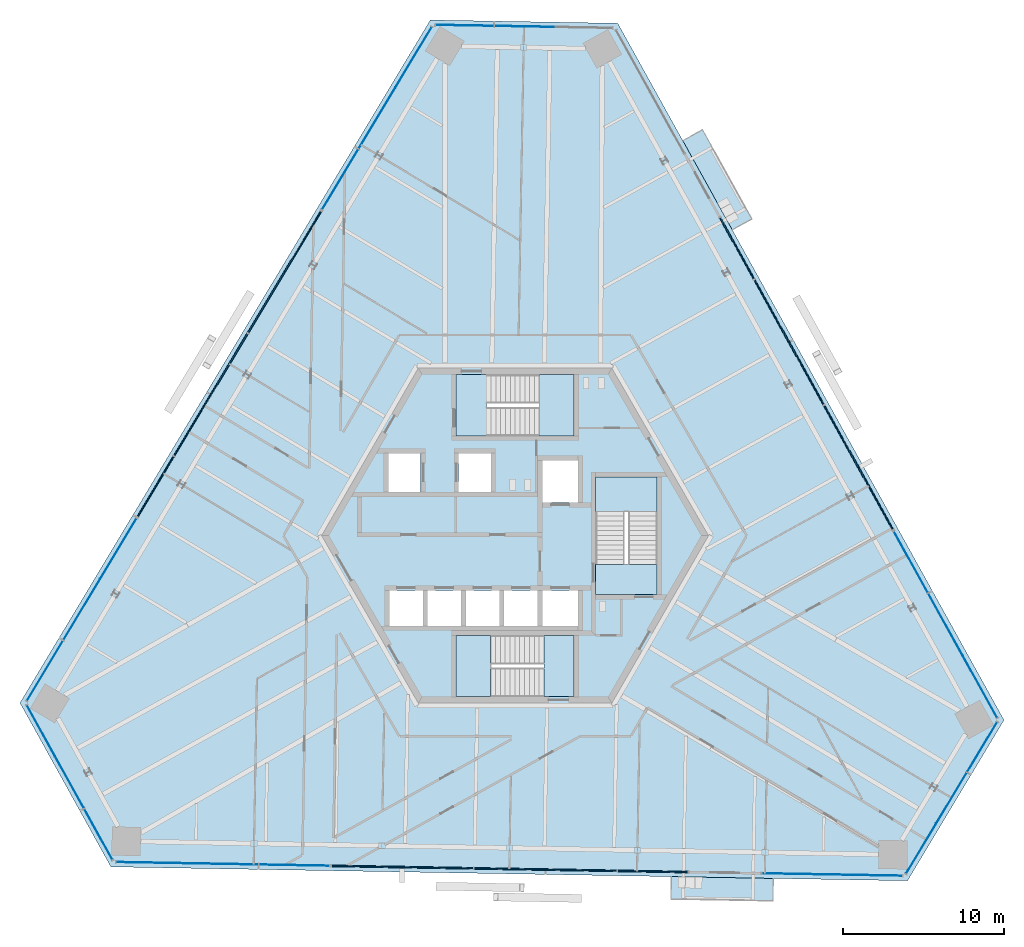
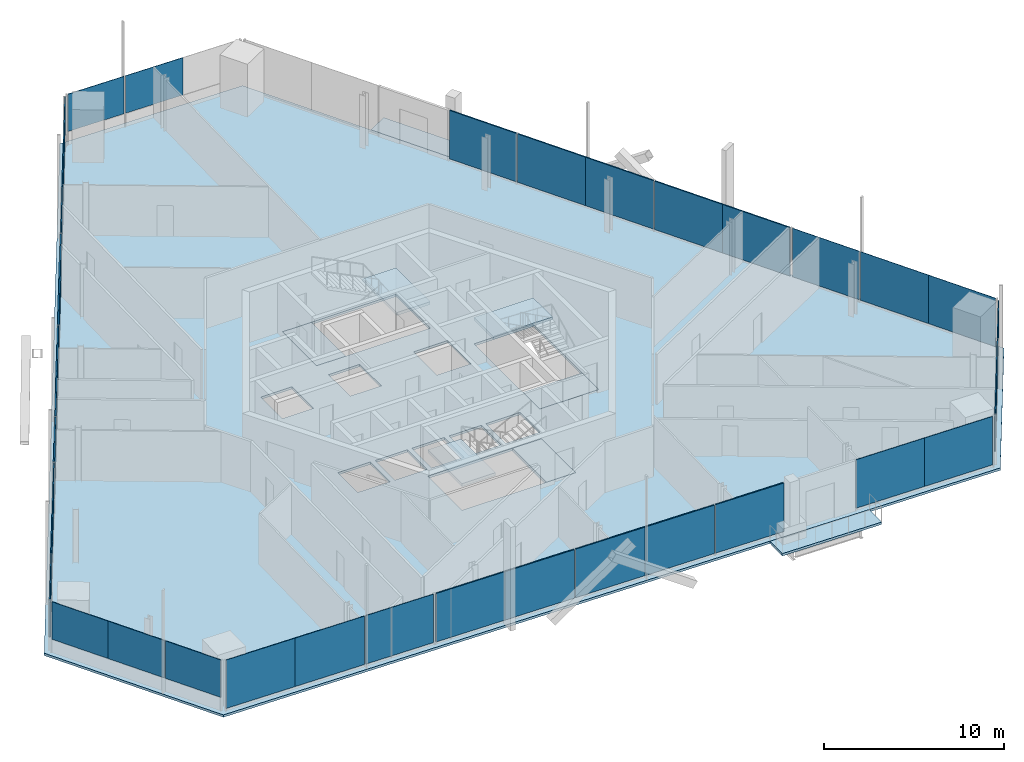
# One storey, part 10 of 20: 37 plates, 9 slabs, 14 elements without a shape of their own.
"""IFC4 building model written with IfcOpenShell, lengths in metres."""

from ifc_helpers import new_model, si_unit, direction, frame, origin, origin_2d, place, context, subcontext, project, spatial, polyline, rectangle, outline, extrude, source, transform, mapped, material, layer, layer_set, type_object, element, aggregate, save


model = new_model("IFC4")

# Units and contexts
model_context = context("Model", 3, precision=1e-05, world=origin(), true_north=direction((0.0, 1.0)))
body_context = subcontext(model_context, "Body", "Model", "MODEL_VIEW")
ifc_project = project(units=[si_unit("LENGTHUNIT", "METRE"), si_unit("AREAUNIT", "SQUARE_METRE"), si_unit("VOLUMEUNIT", "CUBIC_METRE"), si_unit("PLANEANGLEUNIT", "RADIAN"), si_unit("MASSUNIT", "GRAM", prefix="KILO")], contexts=[model_context])

# Site, building, storey
site_placement = place(None, origin())
site = spatial("IfcSite", under=ifc_project, at=site_placement, CompositionType="ELEMENT")
building_placement = place(site_placement, origin())
building = spatial("IfcBuilding", under=site, at=building_placement, Name="Triune Harvest Tower", CompositionType="ELEMENT")
storey_placement = place(building_placement, frame((0.0, 0.0, 194.300048828125)))
storey = spatial("IfcBuildingStorey", under=building, at=storey_placement, Name="L50", CompositionType="ELEMENT", Elevation=194.300048828125)

# Slabs
ifc_material_1 = material(Name="Concrete 40 MPa", Category="concrete")
ifc_layer_1 = layer(ifc_material_1, 0.159912109375)
ifc_layer_set_1 = layer_set([ifc_layer_1], Name="Concrete 40 MPa")
slab_type_1 = type_object("IfcSlabType", Name="BA-1 balcony slab 160", PredefinedType="FLOOR", material=ifc_layer_set_1)
slab_1_placement = place(storey_placement, frame((0.0, 0.0, -0.16015625)))
element("IfcSlab", 1, at=slab_1_placement, inside=storey, type_object=slab_type_1, Name="Balcony slab B5-F1 L50.9", PredefinedType="FLOOR", context=body_context, shape_type="SweptSolid", body=[
    extrude(outline(polyline([(13.469970703125, 18.96826171875), (10.40478515625, 24.497802734375), (11.623779296875, 25.173583984375), (14.68896484375, 19.64404296875), (13.469970703125, 18.96826171875)])), origin(), (0.0, 0.0, 1.0), 0.16015625),
])
slab_2_placement = place(storey_placement, frame((0.0, 0.0, -0.16015625)))
element("IfcSlab", 2, at=slab_2_placement, inside=storey, type_object=slab_type_1, Name="Balcony slab B5-F5 L50.9", PredefinedType="FLOOR", context=body_context, shape_type="SweptSolid", body=[
    extrude(outline(polyline([(9.692138671875, -21.1494140625), (16.01318359375, -21.259765625), (15.989013671875, -22.6533203125), (9.66796875, -22.543212890625), (9.692138671875, -21.1494140625)])), origin(), (0.0, 0.0, 1.0), 0.16015625),
])
ifc_material_2 = material(Name="Concrete 40 MPa", Category="concrete")
ifc_layer_2 = layer(ifc_material_2, 0.159912109375)
ifc_layer_set_2 = layer_set([ifc_layer_2], Name="Concrete 40 MPa")
slab_type_2 = type_object("IfcSlabType", Name="SL-1 Composite floor slab 160", PredefinedType="FLOOR", material=ifc_layer_set_2)
shared_shape_1 = source(origin(), body_context, "Body", "SweptSolid", [
    extrude(outline(polyline([(30.324951171875, -11.439208984375), (6.368896484375, 31.77880859375), (-5.256103515625, 31.981689453125), (-30.705810546875, -10.373779296875), (-25.069091796875, -20.542724609375), (24.3369140625, -21.405029296875), (30.324951171875, -11.439208984375)]), holes=[polyline([(-5.72509765625, -5.590087890625), (-5.72509765625, -3.389892578125), (-7.800048828125, -3.389892578125), (-7.800048828125, -5.590087890625), (-5.72509765625, -5.590087890625)]), polyline([(-3.35009765625, -5.590087890625), (-3.35009765625, -3.389892578125), (-5.425048828125, -3.389892578125), (-5.425048828125, -5.590087890625), (-3.35009765625, -5.590087890625)]), polyline([(-0.97509765625, -5.590087890625), (-0.97509765625, -3.389892578125), (-3.050048828125, -3.389892578125), (-3.050048828125, -5.590087890625), (-0.97509765625, -5.590087890625)]), polyline([(1.39990234375, -5.590087890625), (1.39990234375, -3.389892578125), (-0.675048828125, -3.389892578125), (-0.675048828125, -5.590087890625), (1.39990234375, -5.590087890625)]), polyline([(3.89990234375, 2.06005859375), (3.89990234375, 4.659912109375), (1.699951171875, 4.659912109375), (1.699951171875, 2.06005859375), (3.89990234375, 2.06005859375)]), polyline([(3.89990234375, -5.590087890625), (3.89990234375, -3.389892578125), (1.699951171875, -3.389892578125), (1.699951171875, -5.590087890625), (3.89990234375, -5.590087890625)]), polyline([(-5.85009765625, 2.7099609375), (-5.85009765625, 5.110107421875), (-7.85009765625, 5.110107421875), (-7.85009765625, 2.7099609375), (-5.85009765625, 2.7099609375)]), polyline([(-1.5, 2.7099609375), (-1.5, 5.110107421875), (-3.5, 5.110107421875), (-3.5, 2.7099609375), (-1.5, 2.7099609375)]), polyline([(3.64990234375, 6.18994140625), (3.64990234375, 9.989990234375), (-3.64990234375, 9.989990234375), (-3.64990234375, 6.18994140625), (3.64990234375, 6.18994140625)]), polyline([(3.64990234375, -9.989990234375), (3.64990234375, -6.18994140625), (-3.64990234375, -6.18994140625), (-3.64990234375, -9.989990234375), (3.64990234375, -9.989990234375)]), polyline([(8.800048828125, -3.64990234375), (8.800048828125, 3.64990234375), (5.0, 3.64990234375), (5.0, -3.64990234375), (8.800048828125, -3.64990234375)])]), origin(), (0.0, 0.0, 1.0), 0.16015625),
])
slab_3_placement = place(storey_placement, frame((0.0, 0.0, -0.16015625)))
element("IfcSlab", 3, at=slab_3_placement, inside=storey, type_object=slab_type_2, Name="slab/L50/1", PredefinedType="FLOOR", context=body_context, shape_type="MappedRepresentation", body=[
    mapped(shared_shape_1, transform((0.0, 0.0, 0.0), scale=1.0)),
])

# Stair, slabs
ifc_material_3 = material(Name="Concrete 40 MPa", Category="concrete")
stair_type = type_object("IfcStairType", Name="Exit stair 1800 half turn", PredefinedType="HALF_TURN_STAIR", material=ifc_material_3)
stair_1_placement = place(storey_placement, origin())
stair_1 = element("IfcStair", 4, at=stair_1_placement, inside=storey, type_object=stair_type, Name="Exit stair north", PredefinedType="HALF_TURN_STAIR")
ifc_material_4 = material(Name="Concrete 40 MPa", Category="concrete")
ifc_layer_3 = layer(ifc_material_4, 0.199951171875)
ifc_layer_set_3 = layer_set([ifc_layer_3], Name="Concrete 40 MPa")
slab_type_3 = type_object("IfcSlabType", Name="Stair landing 200", PredefinedType="LANDING", material=ifc_layer_set_3)
shared_shape_2 = source(origin(), body_context, "Body", "SweptSolid", [
    extrude(outline(polyline([(-3.64990234375, 6.18994140625), (-1.780029296875, 6.18994140625), (-1.780029296875, 9.989990234375), (-3.64990234375, 9.989990234375), (-3.64990234375, 6.18994140625)])), origin(), (0.0, 0.0, 1.0), 0.199951171875),
])
slab_4_placement = place(storey_placement, frame((0.0, 0.0, -0.199951171875)))
slab_4 = element("IfcSlab", 5, at=slab_4_placement, type_object=slab_type_3, Name="ST-1 landing 1", PredefinedType="LANDING", context=body_context, shape_type="MappedRepresentation", body=[
    mapped(shared_shape_2, transform((0.0, 0.0, 0.0), scale=1.0)),
])
shared_shape_3 = source(origin(), body_context, "Body", "SweptSolid", [
    extrude(outline(polyline([(1.510009765625, 6.18994140625), (3.64990234375, 6.18994140625), (3.64990234375, 9.989990234375), (1.510009765625, 9.989990234375), (1.510009765625, 6.18994140625)])), origin(), (0.0, 0.0, 1.0), 0.2001953125),
])
slab_5_placement = place(storey_placement, frame((0.0, 0.0, 1.599853515625)))
slab_5 = element("IfcSlab", 6, at=slab_5_placement, type_object=slab_type_3, Name="ST-1 landing 2", PredefinedType="LANDING", context=body_context, shape_type="MappedRepresentation", body=[
    mapped(shared_shape_3, transform((0.0, 0.0, 0.0), scale=1.0)),
])
aggregate(stair_1, [slab_4, slab_5])

stair_2_placement = place(storey_placement, origin())
stair_2 = element("IfcStair", 7, at=stair_2_placement, inside=storey, type_object=stair_type, Name="Exit stair south", PredefinedType="HALF_TURN_STAIR")
shared_shape_4 = source(origin(), body_context, "Body", "SweptSolid", [
    extrude(outline(polyline([(3.64990234375, -6.18994140625), (1.780029296875, -6.18994140625), (1.780029296875, -9.989990234375), (3.64990234375, -9.989990234375), (3.64990234375, -6.18994140625)])), origin(), (0.0, 0.0, 1.0), 0.199951171875),
])
slab_6_placement = place(storey_placement, frame((0.0, 0.0, -0.199951171875)))
slab_6 = element("IfcSlab", 8, at=slab_6_placement, type_object=slab_type_3, Name="ST-2 landing 1", PredefinedType="LANDING", context=body_context, shape_type="MappedRepresentation", body=[
    mapped(shared_shape_4, transform((0.0, 0.0, 0.0), scale=1.0)),
])
shared_shape_5 = source(origin(), body_context, "Body", "SweptSolid", [
    extrude(outline(polyline([(-1.510009765625, -6.18994140625), (-3.64990234375, -6.18994140625), (-3.64990234375, -9.989990234375), (-1.510009765625, -9.989990234375), (-1.510009765625, -6.18994140625)])), origin(), (0.0, 0.0, 1.0), 0.2001953125),
])
slab_7_placement = place(storey_placement, frame((0.0, 0.0, 1.599853515625)))
slab_7 = element("IfcSlab", 9, at=slab_7_placement, type_object=slab_type_3, Name="ST-2 landing 2", PredefinedType="LANDING", context=body_context, shape_type="MappedRepresentation", body=[
    mapped(shared_shape_5, transform((0.0, 0.0, 0.0), scale=1.0)),
])
aggregate(stair_2, [slab_6, slab_7])

stair_3_placement = place(storey_placement, origin())
stair_3 = element("IfcStair", 10, at=stair_3_placement, inside=storey, type_object=stair_type, Name="Exit stair east", PredefinedType="HALF_TURN_STAIR")
shared_shape_6 = source(origin(), body_context, "Body", "SweptSolid", [
    extrude(outline(polyline([(8.800048828125, -3.64990234375), (8.800048828125, -1.780029296875), (5.0, -1.780029296875), (5.0, -3.64990234375), (8.800048828125, -3.64990234375)])), origin(), (0.0, 0.0, 1.0), 0.199951171875),
])
slab_8_placement = place(storey_placement, frame((0.0, 0.0, -0.199951171875)))
slab_8 = element("IfcSlab", 11, at=slab_8_placement, type_object=slab_type_3, Name="ST-3 landing 1", PredefinedType="LANDING", context=body_context, shape_type="MappedRepresentation", body=[
    mapped(shared_shape_6, transform((0.0, 0.0, 0.0), scale=1.0)),
])
shared_shape_7 = source(origin(), body_context, "Body", "SweptSolid", [
    extrude(outline(polyline([(8.800048828125, 1.510009765625), (8.800048828125, 3.64990234375), (5.0, 3.64990234375), (5.0, 1.510009765625), (8.800048828125, 1.510009765625)])), origin(), (0.0, 0.0, 1.0), 0.2001953125),
])
slab_9_placement = place(storey_placement, frame((0.0, 0.0, 1.599853515625)))
slab_9 = element("IfcSlab", 12, at=slab_9_placement, type_object=slab_type_3, Name="ST-3 landing 2", PredefinedType="LANDING", context=body_context, shape_type="MappedRepresentation", body=[
    mapped(shared_shape_7, transform((0.0, 0.0, 0.0), scale=1.0)),
])
aggregate(stair_3, [slab_8, slab_9])

# Curtain wall, plate
ifc_material_5 = material(Name="Aluminium bronze anodised", Category="aluminium")
curtain_wall_type_1 = type_object("IfcCurtainWallType", Name="CW-1 Tower stick curtain wall", PredefinedType="NOTDEFINED", material=ifc_material_5)
curtain_wall_1_placement = place(storey_placement, origin())
curtain_wall_1 = element("IfcCurtainWall", 13, at=curtain_wall_1_placement, inside=storey, type_object=curtain_wall_type_1, Name="CW-1 B5-F4 L50 run 1")
ifc_material_6 = material(Name="Glass", Category="glass")
ifc_layer_4 = layer(ifc_material_6, 0.031982421875)
ifc_layer_set_4 = layer_set([ifc_layer_4], Name="Glass")
plate_type_1 = type_object("IfcPlateType", Name="GL-1 panel 32", PredefinedType="CURTAIN_PANEL", material=ifc_layer_set_4)
shared_shape_8 = source(origin(), body_context, "Body", "SweptSolid", [
    extrude(rectangle(XDim=3.625, YDim=0.031982421875, at=origin_2d()), origin(), (0.0, 0.0, 1.0), 2.5400390625),
])
plate_1_placement = place(storey_placement, frame((-29.400634765625, -12.109375, 0.89990234375), z_axis=(0.0, 0.0, 1.0), x_axis=(0.484801950362, -0.874623958582, 0.0)))
plate_1 = element("IfcPlate", 14, at=plate_1_placement, type_object=plate_type_1, Name="CW-1 panel B5-F4 1.1", PredefinedType="CURTAIN_PANEL", context=body_context, shape_type="MappedRepresentation", body=[
    mapped(shared_shape_8, transform((0.0, 0.0, 0.0), scale=1.0)),
])

curtain_wall_2_placement = place(storey_placement, origin())
curtain_wall_2 = element("IfcCurtainWall", 15, at=curtain_wall_2_placement, inside=storey, type_object=curtain_wall_type_1, Name="CW-1 B5-F6 L50 run 1")
plate_2_placement = place(storey_placement, frame((25.1875, -19.406982421875, 0.89990234375), z_axis=(0.0, 0.0, 1.0), x_axis=(0.515036685882, 0.857168135313, 0.0)))
plate_2 = element("IfcPlate", 16, at=plate_2_placement, type_object=plate_type_1, Name="CW-1 panel B5-F6 1.1", PredefinedType="CURTAIN_PANEL", context=body_context, shape_type="MappedRepresentation", body=[
    mapped(shared_shape_8, transform((0.0, 0.0, 0.0), scale=1.0)),
])

curtain_wall_3_placement = place(storey_placement, origin())
curtain_wall_3 = element("IfcCurtainWall", 17, at=curtain_wall_3_placement, inside=storey, type_object=curtain_wall_type_1, Name="CW-1 B5-F2 L50 run 1")
shared_shape_9 = source(origin(), body_context, "Body", "SweptSolid", [
    extrude(rectangle(XDim=3.66259765625, YDim=0.031982421875, at=origin_2d()), origin(), (0.0, 0.0, 1.0), 2.5400390625),
])
plate_3_placement = place(storey_placement, frame((0.570068359375, 31.580078125, 0.89990234375), z_axis=(0.0, 0.0, 1.0), x_axis=(-0.999847801404, 0.017446318452, 0.0)))
plate_3 = element("IfcPlate", 18, at=plate_3_placement, type_object=plate_type_1, Name="CW-1 panel B5-F2 1.2", PredefinedType="CURTAIN_PANEL", context=body_context, shape_type="MappedRepresentation", body=[
    mapped(shared_shape_9, transform((0.0, 0.0, 0.0), scale=1.0)),
])

# Plate
plate_4_placement = place(storey_placement, frame((-27.634033203125, -15.29638671875, 0.89990234375), z_axis=(0.0, 0.0, 1.0), x_axis=(0.484801950362, -0.874623958582, 0.0)))
plate_4 = element("IfcPlate", 19, at=plate_4_placement, type_object=plate_type_1, Name="CW-1 panel B5-F4 1.2", PredefinedType="CURTAIN_PANEL", context=body_context, shape_type="MappedRepresentation", body=[
    mapped(shared_shape_9, transform((0.0, 0.0, 0.0), scale=1.0)),
])

plate_5_placement = place(storey_placement, frame((27.064208984375, -16.28369140625, 0.89990234375), z_axis=(0.0, 0.0, 1.0), x_axis=(0.515036685882, 0.857168135313, 0.0)))
plate_5 = element("IfcPlate", 20, at=plate_5_placement, type_object=plate_type_1, Name="CW-1 panel B5-F6 1.2", PredefinedType="CURTAIN_PANEL", context=body_context, shape_type="MappedRepresentation", body=[
    mapped(shared_shape_9, transform((0.0, 0.0, 0.0), scale=1.0)),
])

shared_shape_10 = source(origin(), body_context, "Body", "SweptSolid", [
    extrude(rectangle(XDim=3.587646484375, YDim=0.031982421875, at=origin_2d()), origin(), (0.0, 0.0, 1.0), 2.5400390625),
])
plate_6_placement = place(storey_placement, frame((-3.129638671875, 31.64453125, 0.89990234375), z_axis=(0.0, 0.0, 1.0), x_axis=(-0.999847801404, 0.017446318452, 0.0)))
plate_6 = element("IfcPlate", 21, at=plate_6_placement, type_object=plate_type_1, Name="CW-1 panel B5-F2 1.3", PredefinedType="CURTAIN_PANEL", context=body_context, shape_type="MappedRepresentation", body=[
    mapped(shared_shape_10, transform((0.0, 0.0, 0.0), scale=1.0)),
])

aggregate(curtain_wall_3, [plate_3, plate_6])

plate_7_placement = place(storey_placement, frame((-25.84033203125, -18.532470703125, 0.89990234375), z_axis=(0.0, 0.0, 1.0), x_axis=(0.484801950362, -0.874623958582, 0.0)))
plate_7 = element("IfcPlate", 22, at=plate_7_placement, type_object=plate_type_1, Name="CW-1 panel B5-F4 1.3", PredefinedType="CURTAIN_PANEL", context=body_context, shape_type="MappedRepresentation", body=[
    mapped(shared_shape_10, transform((0.0, 0.0, 0.0), scale=1.0)),
])

aggregate(curtain_wall_1, [plate_1, plate_4, plate_7])

plate_8_placement = place(storey_placement, frame((28.9697265625, -13.112060546875, 0.89990234375), z_axis=(0.0, 0.0, 1.0), x_axis=(0.515036685882, 0.857168135313, 0.0)))
plate_8 = element("IfcPlate", 23, at=plate_8_placement, type_object=plate_type_1, Name="CW-1 panel B5-F6 1.3", PredefinedType="CURTAIN_PANEL", context=body_context, shape_type="MappedRepresentation", body=[
    mapped(shared_shape_10, transform((0.0, 0.0, 0.0), scale=1.0)),
])

aggregate(curtain_wall_2, [plate_2, plate_5, plate_8])

# Curtain wall, plates
ifc_material_7 = material(Name="Aluminium bronze anodised", Category="aluminium")
curtain_wall_type_2 = type_object("IfcCurtainWallType", Name="CW-7 Tower stick curtain wall with insulated spandrel infill", PredefinedType="NOTDEFINED", material=ifc_material_7)
curtain_wall_4_placement = place(storey_placement, origin())
curtain_wall_4 = element("IfcCurtainWall", 24, at=curtain_wall_4_placement, inside=storey, type_object=curtain_wall_type_2, Name="CW-7 B5-F3 L50 run 1001")
ifc_material_8 = material(Name="Insulated spandrel panel, bronze aluminium pan", Category="aluminium")
ifc_layer_5 = layer(ifc_material_8, 0.080078125)
ifc_layer_set_5 = layer_set([ifc_layer_5], Name="Insulated spandrel panel, bronze aluminium pan")
plate_type_2 = type_object("IfcPlateType", Name="SP-1 insulated spandrel panel 80", PredefinedType="CURTAIN_PANEL", material=ifc_layer_set_5)
shared_shape_11 = source(origin(), body_context, "Body", "SweptSolid", [
    extrude(rectangle(XDim=4.40673828125, YDim=0.080078125, at=origin_2d()), origin(), (0.0, 0.0, 1.0), 2.5400390625),
])
plate_9_placement = place(storey_placement, frame((-15.425048828125, 14.47509765625, 0.89990234375), z_axis=(0.0, 0.0, 1.0), x_axis=(-0.51503898522, -0.857166753732, 0.0)))
plate_9 = element("IfcPlate", 25, at=plate_9_placement, type_object=plate_type_2, Name="CW-7 panel B5-F3 1001.2", PredefinedType="CURTAIN_PANEL", context=body_context, shape_type="MappedRepresentation", body=[
    mapped(shared_shape_11, transform((0.0, 0.0, 0.0), scale=1.0)),
])
plate_10_placement = place(storey_placement, frame((-17.7333984375, 10.63330078125, 0.89990234375), z_axis=(0.0, 0.0, 1.0), x_axis=(-0.51503898522, -0.857166753732, 0.0)))
plate_10 = element("IfcPlate", 26, at=plate_10_placement, type_object=plate_type_2, Name="CW-7 panel B5-F3 1001.3", PredefinedType="CURTAIN_PANEL", context=body_context, shape_type="MappedRepresentation", body=[
    mapped(shared_shape_11, transform((0.0, 0.0, 0.0), scale=1.0)),
])
plate_11_placement = place(storey_placement, frame((-20.0029296875, 6.85595703125, 0.89990234375), z_axis=(0.0, 0.0, 1.0), x_axis=(-0.51503898522, -0.857166753732, 0.0)))
plate_11 = element("IfcPlate", 27, at=plate_11_placement, type_object=plate_type_2, Name="CW-7 panel B5-F3 1001.4", PredefinedType="CURTAIN_PANEL", context=body_context, shape_type="MappedRepresentation", body=[
    mapped(shared_shape_11, transform((0.0, 0.0, 0.0), scale=1.0)),
])

# Curtain wall, plate
curtain_wall_5_placement = place(storey_placement, origin())
curtain_wall_5 = element("IfcCurtainWall", 28, at=curtain_wall_5_placement, inside=storey, type_object=curtain_wall_type_1, Name="CW-1 B5-F3 L50 run 1")
shared_shape_12 = source(origin(), body_context, "Body", "SweptSolid", [
    extrude(rectangle(XDim=4.40673828125, YDim=0.031982421875, at=origin_2d()), origin(), (0.0, 0.0, 1.0), 2.5400390625),
])
plate_12_placement = place(storey_placement, frame((-8.55810546875, 25.9033203125, 0.89990234375), z_axis=(0.0, 0.0, 1.0), x_axis=(-0.515034671387, -0.857169345736, 0.0)))
plate_12 = element("IfcPlate", 29, at=plate_12_placement, type_object=plate_type_1, Name="CW-1 panel B5-F3 1.2", PredefinedType="CURTAIN_PANEL", context=body_context, shape_type="MappedRepresentation", body=[
    mapped(shared_shape_12, transform((0.0, 0.0, 0.0), scale=1.0)),
])

curtain_wall_6_placement = place(storey_placement, origin())
curtain_wall_6 = element("IfcCurtainWall", 30, at=curtain_wall_6_placement, inside=storey, type_object=curtain_wall_type_1, Name="CW-1 B5-F3 L50 run 2001")
plate_13_placement = place(storey_placement, frame((-26.869873046875, -4.572265625, 0.89990234375), z_axis=(0.0, 0.0, 1.0), x_axis=(-0.515034671387, -0.857169345736, 0.0)))
plate_13 = element("IfcPlate", 31, at=plate_13_placement, type_object=plate_type_1, Name="CW-1 panel B5-F3 2001.2", PredefinedType="CURTAIN_PANEL", context=body_context, shape_type="MappedRepresentation", body=[
    mapped(shared_shape_12, transform((0.0, 0.0, 0.0), scale=1.0)),
])

# Plate
shared_shape_13 = source(origin(), body_context, "Body", "SweptSolid", [
    extrude(rectangle(XDim=4.331787109375, YDim=0.031982421875, at=origin_2d()), origin(), (0.0, 0.0, 1.0), 2.5400390625),
])
plate_14_placement = place(storey_placement, frame((-10.84716796875, 22.093994140625, 0.89990234375), z_axis=(0.0, 0.0, 1.0), x_axis=(-0.515034671387, -0.857169345736, 0.0)))
plate_14 = element("IfcPlate", 32, at=plate_14_placement, type_object=plate_type_1, Name="CW-1 panel B5-F3 1.3", PredefinedType="CURTAIN_PANEL", context=body_context, shape_type="MappedRepresentation", body=[
    mapped(shared_shape_13, transform((0.0, 0.0, 0.0), scale=1.0)),
])

plate_15_placement = place(storey_placement, frame((-29.158935546875, -8.3818359375, 0.89990234375), z_axis=(0.0, 0.0, 1.0), x_axis=(-0.515034671387, -0.857169345736, 0.0)))
plate_15 = element("IfcPlate", 33, at=plate_15_placement, type_object=plate_type_1, Name="CW-1 panel B5-F3 2001.3", PredefinedType="CURTAIN_PANEL", context=body_context, shape_type="MappedRepresentation", body=[
    mapped(shared_shape_13, transform((0.0, 0.0, 0.0), scale=1.0)),
])

shared_shape_14 = source(origin(), body_context, "Body", "SweptSolid", [
    extrude(rectangle(XDim=4.369140625, YDim=0.031982421875, at=origin_2d()), origin(), (0.0, 0.0, 1.0), 2.5400390625),
])
plate_16_placement = place(storey_placement, frame((-6.29833984375, 29.66455078125, 0.89990234375), z_axis=(0.0, 0.0, 1.0), x_axis=(-0.515034671387, -0.857169345736, 0.0)))
plate_16 = element("IfcPlate", 34, at=plate_16_placement, type_object=plate_type_1, Name="CW-1 panel B5-F3 1.1", PredefinedType="CURTAIN_PANEL", context=body_context, shape_type="MappedRepresentation", body=[
    mapped(shared_shape_14, transform((0.0, 0.0, 0.0), scale=1.0)),
])

aggregate(curtain_wall_5, [plate_16, plate_12, plate_14])

plate_17_placement = place(storey_placement, frame((-24.60986328125, -0.81103515625, 0.89990234375), z_axis=(0.0, 0.0, 1.0), x_axis=(-0.515034671387, -0.857169345736, 0.0)))
plate_17 = element("IfcPlate", 35, at=plate_17_placement, type_object=plate_type_1, Name="CW-1 panel B5-F3 2001.1", PredefinedType="CURTAIN_PANEL", context=body_context, shape_type="MappedRepresentation", body=[
    mapped(shared_shape_14, transform((0.0, 0.0, 0.0), scale=1.0)),
])

aggregate(curtain_wall_6, [plate_17, plate_13, plate_15])

shared_shape_15 = source(origin(), body_context, "Body", "SweptSolid", [
    extrude(rectangle(XDim=4.369140625, YDim=0.080078125, at=origin_2d()), origin(), (0.0, 0.0, 1.0), 2.5400390625),
])
plate_18_placement = place(storey_placement, frame((-13.1650390625, 18.236328125, 0.89990234375), z_axis=(0.0, 0.0, 1.0), x_axis=(-0.51503898522, -0.857166753732, 0.0)))
plate_18 = element("IfcPlate", 36, at=plate_18_placement, type_object=plate_type_2, Name="CW-7 panel B5-F3 1001.1", PredefinedType="CURTAIN_PANEL", context=body_context, shape_type="MappedRepresentation", body=[
    mapped(shared_shape_15, transform((0.0, 0.0, 0.0), scale=1.0)),
])

shared_shape_16 = source(origin(), body_context, "Body", "SweptSolid", [
    extrude(rectangle(XDim=4.331787109375, YDim=0.080078125, at=origin_2d()), origin(), (0.0, 0.0, 1.0), 2.5400390625),
])
plate_19_placement = place(storey_placement, frame((-22.2919921875, 3.046630859375, 0.89990234375), z_axis=(0.0, 0.0, 1.0), x_axis=(-0.51503898522, -0.857166753732, 0.0)))
plate_19 = element("IfcPlate", 37, at=plate_19_placement, type_object=plate_type_2, Name="CW-7 panel B5-F3 1001.5", PredefinedType="CURTAIN_PANEL", context=body_context, shape_type="MappedRepresentation", body=[
    mapped(shared_shape_16, transform((0.0, 0.0, 0.0), scale=1.0)),
])

aggregate(curtain_wall_4, [plate_18, plate_9, plate_10, plate_11, plate_19])

# Curtain wall, plate
ifc_material_9 = material(Name="Aluminium bronze anodised", Category="aluminium")
curtain_wall_type_3 = type_object("IfcCurtainWallType", Name="CW-6 Balcony window wall", PredefinedType="NOTDEFINED", material=ifc_material_9)
curtain_wall_7_placement = place(storey_placement, origin())
curtain_wall_7 = element("IfcCurtainWall", 38, at=curtain_wall_7_placement, inside=storey, type_object=curtain_wall_type_3, Name="CW-6 B5-F1 L50 run 1")
ifc_material_10 = material(Name="Glass", Category="glass")
ifc_layer_6 = layer(ifc_material_10, 0.030029296875)
ifc_layer_set_6 = layer_set([ifc_layer_6], Name="Glass")
plate_type_3 = type_object("IfcPlateType", Name="GL-6 panel 30", PredefinedType="CURTAIN_PANEL", material=ifc_layer_set_6)
shared_shape_17 = source(origin(), body_context, "Body", "SweptSolid", [
    extrude(rectangle(XDim=4.374267578125, YDim=0.030029296875, at=origin_2d()), origin(), (0.0, 0.0, 1.0), 3.2900390625),
])
plate_20_placement = place(storey_placement, frame((28.838134765625, -9.375732421875, 0.14990234375), z_axis=(0.0, 0.0, 1.0), x_axis=(-0.484806156493, 0.87462162712, 0.0)))
plate_20 = element("IfcPlate", 39, at=plate_20_placement, type_object=plate_type_3, Name="CW-6 panel B5-F1 1.1", PredefinedType="CURTAIN_PANEL", context=body_context, shape_type="MappedRepresentation", body=[
    mapped(shared_shape_17, transform((0.0, 0.0, 0.0), scale=1.0)),
])

curtain_wall_8_placement = place(storey_placement, origin())
curtain_wall_8 = element("IfcCurtainWall", 40, at=curtain_wall_8_placement, inside=storey, type_object=curtain_wall_type_3, Name="CW-6 B5-F5 L50 run 1")
plate_21_placement = place(storey_placement, frame((-22.538818359375, -20.286865234375, 0.14990234375), z_axis=(0.0, 0.0, 1.0), x_axis=(0.999847731667, -0.017450314612, 0.0)))
plate_21 = element("IfcPlate", 41, at=plate_21_placement, type_object=plate_type_3, Name="CW-6 panel B5-F5 1.1", PredefinedType="CURTAIN_PANEL", context=body_context, shape_type="MappedRepresentation", body=[
    mapped(shared_shape_17, transform((0.0, 0.0, 0.0), scale=1.0)),
])

# Plate
shared_shape_18 = source(origin(), body_context, "Body", "SweptSolid", [
    extrude(rectangle(XDim=4.411865234375, YDim=0.030029296875, at=origin_2d()), origin(), (0.0, 0.0, 1.0), 3.2900390625),
])
plate_22_placement = place(storey_placement, frame((26.70849609375, -5.533447265625, 0.14990234375), z_axis=(0.0, 0.0, 1.0), x_axis=(-0.484806156493, 0.87462162712, 0.0)))
plate_22 = element("IfcPlate", 42, at=plate_22_placement, type_object=plate_type_3, Name="CW-6 panel B5-F1 1.2", PredefinedType="CURTAIN_PANEL", context=body_context, shape_type="MappedRepresentation", body=[
    mapped(shared_shape_18, transform((0.0, 0.0, 0.0), scale=1.0)),
])

plate_23_placement = place(storey_placement, frame((-18.146240234375, -20.363525390625, 0.14990234375), z_axis=(0.0, 0.0, 1.0), x_axis=(0.999847731667, -0.017450314612, 0.0)))
plate_23 = element("IfcPlate", 43, at=plate_23_placement, type_object=plate_type_3, Name="CW-6 panel B5-F5 1.2", PredefinedType="CURTAIN_PANEL", context=body_context, shape_type="MappedRepresentation", body=[
    mapped(shared_shape_18, transform((0.0, 0.0, 0.0), scale=1.0)),
])

shared_shape_19 = source(origin(), body_context, "Body", "SweptSolid", [
    extrude(rectangle(XDim=4.3369140625, YDim=0.030029296875, at=origin_2d()), origin(), (0.0, 0.0, 1.0), 3.2900390625),
])
plate_24_placement = place(storey_placement, frame((24.55126953125, -1.641845703125, 0.14990234375), z_axis=(0.0, 0.0, 1.0), x_axis=(-0.484806156493, 0.87462162712, 0.0)))
plate_24 = element("IfcPlate", 44, at=plate_24_placement, type_object=plate_type_3, Name="CW-6 panel B5-F1 1.3", PredefinedType="CURTAIN_PANEL", context=body_context, shape_type="MappedRepresentation", body=[
    mapped(shared_shape_19, transform((0.0, 0.0, 0.0), scale=1.0)),
])

aggregate(curtain_wall_7, [plate_20, plate_22, plate_24])

plate_25_placement = place(storey_placement, frame((-13.697509765625, -20.441162109375, 0.14990234375), z_axis=(0.0, 0.0, 1.0), x_axis=(0.999847731667, -0.017450314612, 0.0)))
plate_25 = element("IfcPlate", 45, at=plate_25_placement, type_object=plate_type_3, Name="CW-6 panel B5-F5 1.3", PredefinedType="CURTAIN_PANEL", context=body_context, shape_type="MappedRepresentation", body=[
    mapped(shared_shape_19, transform((0.0, 0.0, 0.0), scale=1.0)),
])

aggregate(curtain_wall_8, [plate_21, plate_23, plate_25])

# Curtain wall, plate
ifc_material_11 = material(Name="Aluminium bronze anodised", Category="aluminium")
curtain_wall_type_4 = type_object("IfcCurtainWallType", Name="CW-10 Balcony window wall with insulated spandrel infill", PredefinedType="NOTDEFINED", material=ifc_material_11)
curtain_wall_9_placement = place(storey_placement, origin())
curtain_wall_9 = element("IfcCurtainWall", 46, at=curtain_wall_9_placement, inside=storey, type_object=curtain_wall_type_4, Name="CW-10 B5-F1 L50 run 1001")
shared_shape_20 = source(origin(), body_context, "Body", "SweptSolid", [
    extrude(rectangle(XDim=4.374267578125, YDim=0.080078125, at=origin_2d()), origin(), (0.0, 0.0, 1.0), 3.2900390625),
])
plate_26_placement = place(storey_placement, frame((22.366943359375, 2.298828125, 0.14990234375), z_axis=(0.0, 0.0, 1.0), x_axis=(-0.484809878988, 0.874619563717, 0.0)))
plate_26 = element("IfcPlate", 47, at=plate_26_placement, type_object=plate_type_2, Name="CW-10 panel B5-F1 1001.1", PredefinedType="CURTAIN_PANEL", context=body_context, shape_type="MappedRepresentation", body=[
    mapped(shared_shape_20, transform((0.0, 0.0, 0.0), scale=1.0)),
])

curtain_wall_10_placement = place(storey_placement, origin())
curtain_wall_10 = element("IfcCurtainWall", 48, at=curtain_wall_10_placement, inside=storey, type_object=curtain_wall_type_4, Name="CW-10 B5-F5 L50 run 1001")
plate_27_placement = place(storey_placement, frame((-9.192626953125, -20.519775390625, 0.14990234375), z_axis=(0.0, 0.0, 1.0), x_axis=(0.999847694164, -0.017452463274, 0.0)))
plate_27 = element("IfcPlate", 49, at=plate_27_placement, type_object=plate_type_2, Name="CW-10 panel B5-F5 1001.1", PredefinedType="CURTAIN_PANEL", context=body_context, shape_type="MappedRepresentation", body=[
    mapped(shared_shape_20, transform((0.0, 0.0, 0.0), scale=1.0)),
])

# Plate
shared_shape_21 = source(origin(), body_context, "Body", "SweptSolid", [
    extrude(rectangle(XDim=4.411865234375, YDim=0.080078125, at=origin_2d()), origin(), (0.0, 0.0, 1.0), 3.2900390625),
])
plate_28_placement = place(storey_placement, frame((20.237060546875, 6.14111328125, 0.14990234375), z_axis=(0.0, 0.0, 1.0), x_axis=(-0.484809878988, 0.874619563717, 0.0)))
plate_28 = element("IfcPlate", 50, at=plate_28_placement, type_object=plate_type_2, Name="CW-10 panel B5-F1 1001.2", PredefinedType="CURTAIN_PANEL", context=body_context, shape_type="MappedRepresentation", body=[
    mapped(shared_shape_21, transform((0.0, 0.0, 0.0), scale=1.0)),
])

plate_29_placement = place(storey_placement, frame((18.061767578125, 10.0654296875, 0.14990234375), z_axis=(0.0, 0.0, 1.0), x_axis=(-0.484809878988, 0.874619563717, 0.0)))
plate_29 = element("IfcPlate", 51, at=plate_29_placement, type_object=plate_type_2, Name="CW-10 panel B5-F1 1001.3", PredefinedType="CURTAIN_PANEL", context=body_context, shape_type="MappedRepresentation", body=[
    mapped(shared_shape_21, transform((0.0, 0.0, 0.0), scale=1.0)),
])

plate_30_placement = place(storey_placement, frame((15.9228515625, 13.924072265625, 0.14990234375), z_axis=(0.0, 0.0, 1.0), x_axis=(-0.484809878988, 0.874619563717, 0.0)))
plate_30 = element("IfcPlate", 52, at=plate_30_placement, type_object=plate_type_2, Name="CW-10 panel B5-F1 1001.4", PredefinedType="CURTAIN_PANEL", context=body_context, shape_type="MappedRepresentation", body=[
    mapped(shared_shape_21, transform((0.0, 0.0, 0.0), scale=1.0)),
])

plate_31_placement = place(storey_placement, frame((-4.80029296875, -20.596435546875, 0.14990234375), z_axis=(0.0, 0.0, 1.0), x_axis=(0.999847694164, -0.017452463274, 0.0)))
plate_31 = element("IfcPlate", 53, at=plate_31_placement, type_object=plate_type_2, Name="CW-10 panel B5-F5 1001.2", PredefinedType="CURTAIN_PANEL", context=body_context, shape_type="MappedRepresentation", body=[
    mapped(shared_shape_21, transform((0.0, 0.0, 0.0), scale=1.0)),
])

plate_32_placement = place(storey_placement, frame((-0.31396484375, -20.6748046875, 0.14990234375), z_axis=(0.0, 0.0, 1.0), x_axis=(0.999847694164, -0.017452463274, 0.0)))
plate_32 = element("IfcPlate", 54, at=plate_32_placement, type_object=plate_type_2, Name="CW-10 panel B5-F5 1001.3", PredefinedType="CURTAIN_PANEL", context=body_context, shape_type="MappedRepresentation", body=[
    mapped(shared_shape_21, transform((0.0, 0.0, 0.0), scale=1.0)),
])

plate_33_placement = place(storey_placement, frame((4.09716796875, -20.751708984375, 0.14990234375), z_axis=(0.0, 0.0, 1.0), x_axis=(0.999847694164, -0.017452463274, 0.0)))
plate_33 = element("IfcPlate", 55, at=plate_33_placement, type_object=plate_type_2, Name="CW-10 panel B5-F5 1001.4", PredefinedType="CURTAIN_PANEL", context=body_context, shape_type="MappedRepresentation", body=[
    mapped(shared_shape_21, transform((0.0, 0.0, 0.0), scale=1.0)),
])

shared_shape_22 = source(origin(), body_context, "Body", "SweptSolid", [
    extrude(rectangle(XDim=4.3369140625, YDim=0.080078125, at=origin_2d()), origin(), (0.0, 0.0, 1.0), 3.2900390625),
])
plate_34_placement = place(storey_placement, frame((13.765869140625, 17.815673828125, 0.14990234375), z_axis=(0.0, 0.0, 1.0), x_axis=(-0.484809878988, 0.874619563717, 0.0)))
plate_34 = element("IfcPlate", 56, at=plate_34_placement, type_object=plate_type_2, Name="CW-10 panel B5-F1 1001.5", PredefinedType="CURTAIN_PANEL", context=body_context, shape_type="MappedRepresentation", body=[
    mapped(shared_shape_22, transform((0.0, 0.0, 0.0), scale=1.0)),
])

aggregate(curtain_wall_9, [plate_26, plate_28, plate_29, plate_30, plate_34])

plate_35_placement = place(storey_placement, frame((8.5458984375, -20.829345703125, 0.14990234375), z_axis=(0.0, 0.0, 1.0), x_axis=(0.999847694164, -0.017452463274, 0.0)))
plate_35 = element("IfcPlate", 57, at=plate_35_placement, type_object=plate_type_2, Name="CW-10 panel B5-F5 1001.5", PredefinedType="CURTAIN_PANEL", context=body_context, shape_type="MappedRepresentation", body=[
    mapped(shared_shape_22, transform((0.0, 0.0, 0.0), scale=1.0)),
])

aggregate(curtain_wall_10, [plate_27, plate_31, plate_32, plate_33, plate_35])

# Curtain wall, plates
curtain_wall_11_placement = place(storey_placement, origin())
curtain_wall_11 = element("IfcCurtainWall", 58, at=curtain_wall_11_placement, inside=storey, type_object=curtain_wall_type_3, Name="CW-6 B5-F5 L50 run 2")
shared_shape_23 = source(origin(), body_context, "Body", "SweptSolid", [
    extrude(rectangle(XDim=4.340576171875, YDim=0.030029296875, at=origin_2d()), origin(), (0.0, 0.0, 1.0), 3.2900390625),
])
plate_36_placement = place(storey_placement, frame((17.493896484375, -20.985595703125, 0.14990234375), z_axis=(0.0, 0.0, 1.0), x_axis=(0.999847708228, -0.017451657526, 0.0)))
plate_36 = element("IfcPlate", 59, at=plate_36_placement, type_object=plate_type_3, Name="CW-6 panel B5-F5 2.1", PredefinedType="CURTAIN_PANEL", context=body_context, shape_type="MappedRepresentation", body=[
    mapped(shared_shape_23, transform((0.0, 0.0, 0.0), scale=1.0)),
])
plate_37_placement = place(storey_placement, frame((21.833984375, -21.061279296875, 0.14990234375), z_axis=(0.0, 0.0, 1.0), x_axis=(0.999847708228, -0.017451657526, 0.0)))
plate_37 = element("IfcPlate", 60, at=plate_37_placement, type_object=plate_type_3, Name="CW-6 panel B5-F5 2.2", PredefinedType="CURTAIN_PANEL", context=body_context, shape_type="MappedRepresentation", body=[
    mapped(shared_shape_23, transform((0.0, 0.0, 0.0), scale=1.0)),
])
aggregate(curtain_wall_11, [plate_36, plate_37])

save(model, "model.ifc")
